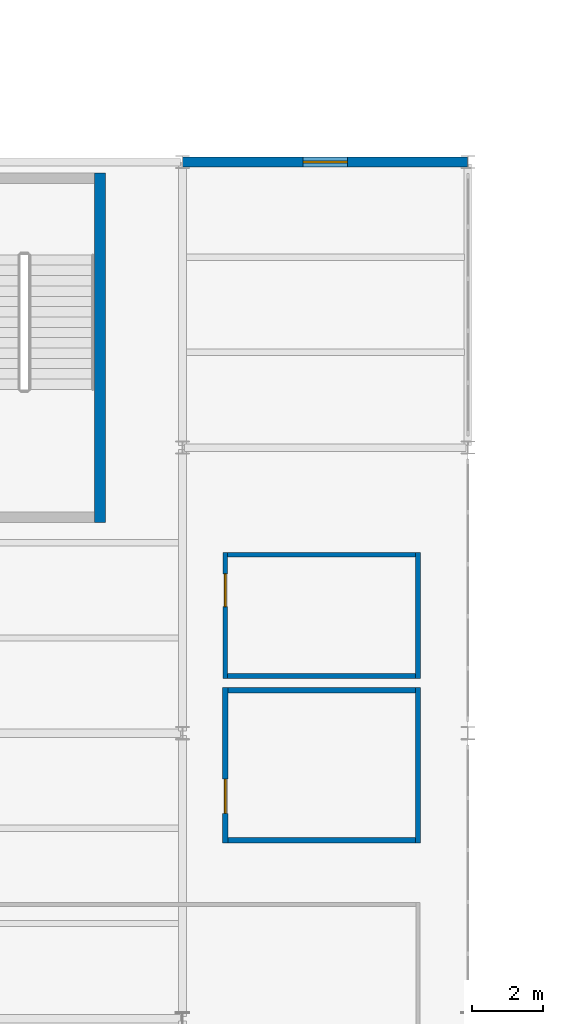
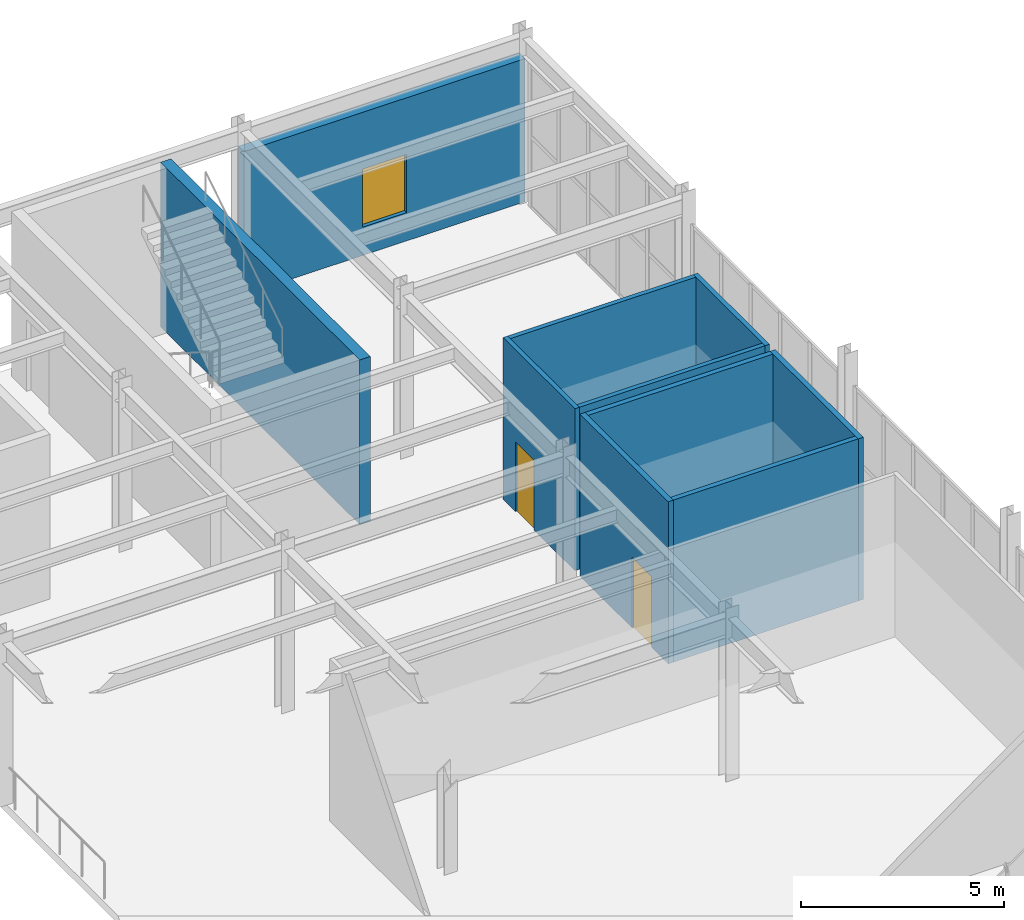
# One storey, part 60 of 77: 10 walls, 2 doors, 1 window, 3 openings.
"""IFC4 building model written with IfcOpenShell, lengths in metres."""

from ifc_helpers import new_model, si_unit, direction, frame, frame_2d, origin, place, context, subcontext, project, spatial, rectangle, extrude, material, layer, layer_set, type_object, element, fill, save


model = new_model("IFC4")

# Units and contexts
model_context = context("Model", 3, precision=1e-05, world=origin(), true_north=direction((0.0, 1.0)))
body_context = subcontext(model_context, "Body", "Model", "MODEL_VIEW")
ifc_project = project(units=[si_unit("LENGTHUNIT", "METRE"), si_unit("AREAUNIT", "SQUARE_METRE"), si_unit("VOLUMEUNIT", "CUBIC_METRE"), si_unit("PLANEANGLEUNIT", "RADIAN"), si_unit("MASSUNIT", "GRAM", prefix="KILO")], contexts=[model_context])

# Site, building, storey
site_placement = place(None, origin())
site = spatial("IfcSite", under=ifc_project, at=site_placement, CompositionType="ELEMENT")
building_placement = place(site_placement, origin())
building = spatial("IfcBuilding", under=site, at=building_placement, Name="Drelvath Fold Interchange", CompositionType="ELEMENT")
storey_placement = place(building_placement, frame((0.0, 0.0, 6.0)))
storey = spatial("IfcBuildingStorey", under=building, at=storey_placement, Name="L01", CompositionType="ELEMENT", Elevation=6.0)

# Wall
ifc_material_1 = material(Name="Concrete f'c 45 MPa (6500 psi)", Category="concrete")
ifc_layer_1 = layer(ifc_material_1, 0.300048828125, Name="Concrete f'c 45 MPa (6500 psi)")
ifc_layer_set_1 = layer_set([ifc_layer_1], Name="Concrete f'c 45 MPa (6500 psi)")
wall_type_1 = type_object("IfcWallType", Name="WL-CR300", PredefinedType="SHEAR", material=ifc_layer_set_1)
wall_1_placement = place(storey_placement, frame((131.68994140625, 96.89990234375, 0.0), z_axis=(0.0, 0.0, 1.0), x_axis=(0.0, 1.0, 0.0)))
element("IfcWall", 1, at=wall_1_placement, inside=storey, type_object=wall_type_1, Name="ST-08 L01 east core wall", PredefinedType="SHEAR", context=body_context, shape_type="SweptSolid", body=[
    extrude(rectangle(XDim=9.800048828125, YDim=0.300048828125, at=frame_2d((4.89990234375, 0.0))), origin(), (0.0, 0.0, 1.0), 4.945068359375),
])

# Wall, opening, window
ifc_material_2 = material(Name="Perforated Anodized Aluminium Rainscreen", Category="aluminium")
ifc_layer_2 = layer(ifc_material_2, 0.27490234375, Name="Perforated Anodized Aluminium Rainscreen")
ifc_layer_set_2 = layer_set([ifc_layer_2], Name="Perforated Anodized Aluminium Rainscreen")
wall_type_2 = type_object("IfcWallType", Name="WL-EXT275", PredefinedType="SOLIDWALL", material=ifc_layer_set_2)
wall_2_placement = place(storey_placement, frame((134.008056640625, 107.0, 0.0), z_axis=(0.0, 0.0, 1.0), x_axis=(1.0, 0.0, 0.0)))
wall_2 = element("IfcWall", 2, at=wall_2_placement, inside=storey, type_object=wall_type_2, Name="L01 exterior facade wall 45", PredefinedType="SOLIDWALL", context=body_context, shape_type="SweptSolid", body=[
    extrude(rectangle(XDim=7.98388671875, YDim=0.27490234375, at=frame_2d((3.991943359375, 0.0))), origin(), (0.0, 0.0, 1.0), 4.300048828125),
])
opening_1_placement = place(wall_2_placement, frame((3.366943359375, 0.0, 0.85009765625)))
opening_1 = element("IfcOpeningElement", 3, at=opening_1_placement, cuts=wall_2, Name="Opening W-L01-041", PredefinedType="OPENING", context=body_context, shape_type="SweptSolid", body=[
    extrude(rectangle(XDim=1.25, YDim=1.75, at=frame_2d((0.625, 0.875))), frame((0.0, 0.1474609375, 0.0), z_axis=(0.0, -1.0, 0.0), x_axis=(1.0, 0.0, 0.0)), (0.0, 0.0, 1.0), 0.294921875),
])
ifc_material_3 = material(Name="Low-Iron Insulated Laminated Glass", Category="glass")
window_type = type_object("IfcWindowType", Name="WN-125x175", PartitioningType="SINGLE_PANEL", PredefinedType="WINDOW", material=ifc_material_3)
window_placement = place(opening_1_placement, origin())
window = element("IfcWindow", 4, at=window_placement, inside=storey, type_object=window_type, Name="Facade window W-L01-041", OverallHeight=1.75, OverallWidth=1.25, PartitioningType="SINGLE_PANEL", PredefinedType="WINDOW", context=body_context, shape_type="SweptSolid", body=[
    extrude(rectangle(XDim=1.25, YDim=1.75, at=frame_2d((0.625, 0.875))), frame((0.0, 0.030029296875, 0.0), z_axis=(0.0, -1.0, 0.0), x_axis=(1.0, 0.0, 0.0)), (0.0, 0.0, 1.0), 0.06005859375),
])
fill(opening_1, window)

# Walls
ifc_material_4 = material(Name="Acoustic Gypsum Board Partition Assembly")
ifc_layer_3 = layer(ifc_material_4, 0.1298828125, Name="Acoustic Gypsum Board Partition Assembly")
ifc_layer_set_3 = layer_set([ifc_layer_3], Name="Acoustic Gypsum Board Partition Assembly")
wall_type_3 = type_object("IfcWallType", Name="WL-PT130", PredefinedType="PARTITIONING", material=ifc_layer_set_3)
wall_3_placement = place(storey_placement, frame((135.264892578125, 92.60009765625, 0.0), z_axis=(0.0, 0.0, 1.0), x_axis=(1.0, 0.0, 0.0)))
element("IfcWall", 5, at=wall_3_placement, inside=storey, type_object=wall_type_3, Name="Cycle Hub Custodial Supply Closet S partition", PredefinedType="PARTITIONING", context=body_context, shape_type="SweptSolid", body=[
    extrude(rectangle(XDim=5.27001953125, YDim=0.1298828125, at=frame_2d((2.635009765625, 0.0))), origin(), (0.0, 0.0, 1.0), 4.8701171875),
])
wall_4_placement = place(storey_placement, frame((140.60009765625, 92.534912109375, 0.0), z_axis=(0.0, 0.0, 1.0), x_axis=(0.0, 1.0, 0.0)))
element("IfcWall", 6, at=wall_4_placement, inside=storey, type_object=wall_type_3, Name="Cycle Hub Custodial Supply Closet E partition", PredefinedType="PARTITIONING", context=body_context, shape_type="SweptSolid", body=[
    extrude(rectangle(XDim=3.530029296875, YDim=0.1298828125, at=frame_2d((1.76513671875, 0.0))), origin(), (0.0, 0.0, 1.0), 4.8701171875),
])
wall_5_placement = place(storey_placement, frame((140.534912109375, 96.0, 0.0), z_axis=(0.0, 0.0, 1.0), x_axis=(-1.0, 0.0, 0.0)))
element("IfcWall", 7, at=wall_5_placement, inside=storey, type_object=wall_type_3, Name="Cycle Hub Custodial Supply Closet N partition", PredefinedType="PARTITIONING", context=body_context, shape_type="SweptSolid", body=[
    extrude(rectangle(XDim=5.27001953125, YDim=0.1298828125, at=frame_2d((2.635009765625, 0.0))), origin(), (0.0, 0.0, 1.0), 4.8701171875),
])

# Wall, opening, door
wall_6_placement = place(storey_placement, frame((135.199951171875, 96.06494140625, 0.0), z_axis=(0.0, 0.0, 1.0), x_axis=(0.0, -1.0, 0.0)))
wall_6 = element("IfcWall", 8, at=wall_6_placement, inside=storey, type_object=wall_type_3, Name="Cycle Hub Custodial Supply Closet W partition", PredefinedType="PARTITIONING", context=body_context, shape_type="SweptSolid", body=[
    extrude(rectangle(XDim=3.530029296875, YDim=0.1298828125, at=frame_2d((1.76513671875, 0.0))), origin(), (0.0, 0.0, 1.0), 4.8701171875),
])
opening_2_placement = place(wall_6_placement, frame((0.59912109375, 0.0, 0.0)))
opening_2 = element("IfcOpeningElement", 9, at=opening_2_placement, cuts=wall_6, Name="Opening D-L01-113", PredefinedType="OPENING", context=body_context, shape_type="SweptSolid", body=[
    extrude(rectangle(XDim=0.919921875, YDim=2.10009765625, at=frame_2d((0.4599609375, 1.050048828125))), frame((0.0, 0.074951171875, 0.0), z_axis=(0.0, -1.0, 0.0), x_axis=(1.0, 0.0, 0.0)), (0.0, 0.0, 1.0), 0.14990234375),
])
ifc_material_5 = material(Name="Anodized Aluminium Glazed Door Assembly", Category="aluminium")
door_type_1 = type_object("IfcDoorType", Name="DR-NR092", OperationType="NOTDEFINED", PredefinedType="DOOR", material=ifc_material_5)
door_1_placement = place(opening_2_placement, origin())
door_1 = element("IfcDoor", 10, at=door_1_placement, inside=storey, type_object=door_type_1, Name="Cycle Hub Custodial Supply Closet door D-L01-113", OperationType="SINGLE_SWING_RIGHT", OverallHeight=2.10009765625, OverallWidth=0.919921875, PredefinedType="DOOR", context=body_context, shape_type="SweptSolid", body=[
    extrude(rectangle(XDim=0.919921875, YDim=2.10009765625, at=frame_2d((0.4599609375, 1.050048828125))), frame((0.0, 0.02490234375, 0.0), z_axis=(0.0, -1.0, 0.0), x_axis=(1.0, 0.0, 0.0)), (0.0, 0.0, 1.0), 0.050048828125),
])
fill(opening_2, door_1)

# Walls
ifc_layer_4 = layer(ifc_material_4, 0.14501953125, Name="Acoustic Gypsum Board Partition Assembly")
ifc_layer_set_4 = layer_set([ifc_layer_4], Name="Acoustic Gypsum Board Partition Assembly")
wall_type_4 = type_object("IfcWallType", Name="WL-PT145", PredefinedType="PARTITIONING", material=ifc_layer_set_4)
wall_7_placement = place(storey_placement, frame((135.27197265625, 88.0, 0.0), z_axis=(0.0, 0.0, 1.0), x_axis=(1.0, 0.0, 0.0)))
element("IfcWall", 11, at=wall_7_placement, inside=storey, type_object=wall_type_4, Name="Upper Cycle Hub Accessible WC S partition", PredefinedType="PARTITIONING", context=body_context, shape_type="SweptSolid", body=[
    extrude(rectangle(XDim=5.256103515625, YDim=0.14501953125, at=frame_2d((2.6279296875, 0.0))), origin(), (0.0, 0.0, 1.0), 4.8701171875),
])
wall_8_placement = place(storey_placement, frame((140.60009765625, 87.927001953125, 0.0), z_axis=(0.0, 0.0, 1.0), x_axis=(0.0, 1.0, 0.0)))
element("IfcWall", 12, at=wall_8_placement, inside=storey, type_object=wall_type_4, Name="Upper Cycle Hub Accessible WC E partition", PredefinedType="PARTITIONING", context=body_context, shape_type="SweptSolid", body=[
    extrude(rectangle(XDim=4.345947265625, YDim=0.14501953125, at=frame_2d((2.1728515625, 0.0))), origin(), (0.0, 0.0, 1.0), 4.8701171875),
])
wall_9_placement = place(storey_placement, frame((140.528076171875, 92.199951171875, 0.0), z_axis=(0.0, 0.0, 1.0), x_axis=(-1.0, 0.0, 0.0)))
element("IfcWall", 13, at=wall_9_placement, inside=storey, type_object=wall_type_4, Name="Upper Cycle Hub Accessible WC N partition", PredefinedType="PARTITIONING", context=body_context, shape_type="SweptSolid", body=[
    extrude(rectangle(XDim=5.256103515625, YDim=0.14501953125, at=frame_2d((2.6279296875, 0.0))), origin(), (0.0, 0.0, 1.0), 4.8701171875),
])

# Wall, opening, door
wall_10_placement = place(storey_placement, frame((135.199951171875, 92.27294921875, 0.0), z_axis=(0.0, 0.0, 1.0), x_axis=(0.0, -1.0, 0.0)))
wall_10 = element("IfcWall", 14, at=wall_10_placement, inside=storey, type_object=wall_type_4, Name="Upper Cycle Hub Accessible WC W partition", PredefinedType="PARTITIONING", context=body_context, shape_type="SweptSolid", body=[
    extrude(rectangle(XDim=4.345947265625, YDim=0.14501953125, at=frame_2d((2.1728515625, 0.0))), origin(), (0.0, 0.0, 1.0), 4.8701171875),
])
opening_3_placement = place(wall_10_placement, frame((2.56201171875, 0.0, 0.0)))
opening_3 = element("IfcOpeningElement", 15, at=opening_3_placement, cuts=wall_10, Name="Opening D-L01-112", PredefinedType="OPENING", context=body_context, shape_type="SweptSolid", body=[
    extrude(rectangle(XDim=0.9599609375, YDim=2.1201171875, at=frame_2d((0.47998046875, 1.06005859375))), frame((0.0, 0.08251953125, 0.0), z_axis=(0.0, -1.0, 0.0), x_axis=(1.0, 0.0, 0.0)), (0.0, 0.0, 1.0), 0.1650390625),
])
door_type_2 = type_object("IfcDoorType", Name="DR-NR096", OperationType="NOTDEFINED", PredefinedType="DOOR", material=ifc_material_5)
door_2_placement = place(opening_3_placement, frame((0.9599609375, 0.0, 0.0), z_axis=(0.0, 0.0, 1.0), x_axis=(-1.0, 0.0, 0.0)))
door_2 = element("IfcDoor", 16, at=door_2_placement, inside=storey, type_object=door_type_2, Name="Upper Cycle Hub Accessible WC door D-L01-112", OperationType="SINGLE_SWING_LEFT", OverallHeight=2.1201171875, OverallWidth=0.9599609375, PredefinedType="DOOR", context=body_context, shape_type="SweptSolid", body=[
    extrude(rectangle(XDim=0.9599609375, YDim=2.1201171875, at=frame_2d((0.47998046875, 1.06005859375))), frame((0.0, 0.02490234375, 0.0), z_axis=(0.0, -1.0, 0.0), x_axis=(1.0, 0.0, 0.0)), (0.0, 0.0, 1.0), 0.050048828125),
])
fill(opening_3, door_2)

save(model, "model.ifc")
